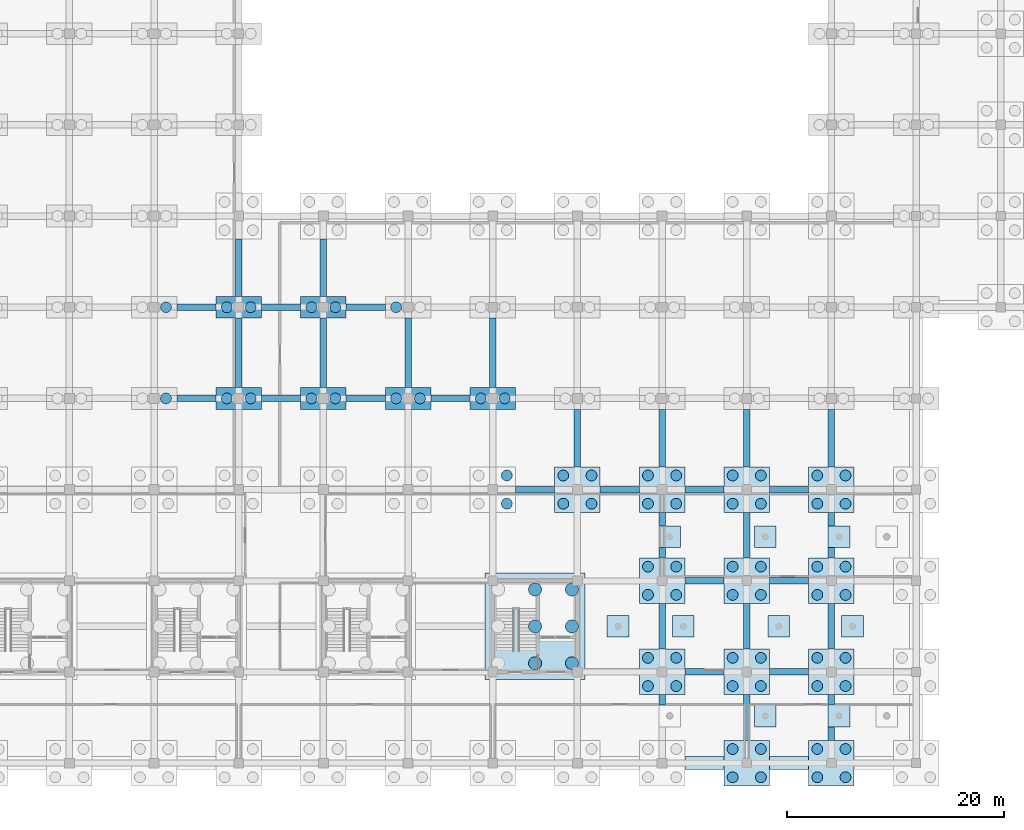
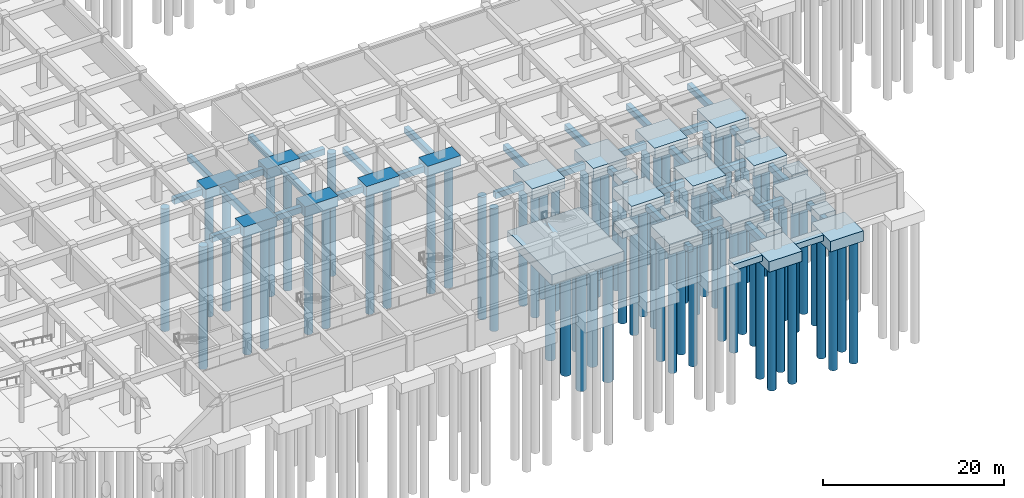
# One storey, part 4 of 31: 71 piles, 67 footings.
"""IFC4 building model written with IfcOpenShell, lengths in metres."""

from ifc_helpers import new_model, si_unit, direction, frame, origin, origin_2d, place, context, subcontext, project, spatial, rectangle, circle, extrude, material, material_profile, profile_set, type_object, element, save


model = new_model("IFC4")

# Units and contexts
model_context = context("Model", 3, precision=1e-05, world=origin(), true_north=direction((0.0, 1.0)))
body_context = subcontext(model_context, "Body", "Model", "MODEL_VIEW")
ifc_project = project(units=[si_unit("LENGTHUNIT", "METRE"), si_unit("AREAUNIT", "SQUARE_METRE"), si_unit("VOLUMEUNIT", "CUBIC_METRE"), si_unit("PLANEANGLEUNIT", "RADIAN"), si_unit("MASSUNIT", "GRAM", prefix="KILO")], contexts=[model_context])

# Site, building, storey
site_placement = place(None, origin())
site = spatial("IfcSite", under=ifc_project, at=site_placement, CompositionType="ELEMENT")
building_placement = place(site_placement, origin())
building = spatial("IfcBuilding", under=site, at=building_placement, Name="Zizhar Promenade General Hospital", CompositionType="ELEMENT")
storey_placement = place(building_placement, frame((0.0, 0.0, -4.800048828125)))
storey = spatial("IfcBuildingStorey", under=building, at=storey_placement, Name="B1", CompositionType="ELEMENT", Elevation=-4.800048828125)

# Footings
ifc_material_1 = material(Name="Concrete C30/37", Category="concrete")
footing_type_1 = type_object("IfcFootingType", Name="FTG-CAP2-4000", PredefinedType="PILE_CAP", material=ifc_material_1)
for number, where, z_axis, x_axis, name in (
    (1, (70.199951171875, 33.60009765625, -1.39990234375), (0.0, 0.0, 1.0), (1.0, 0.0, 0.0), "Pile Cap 10-E"),
    (2, (70.199951171875, 42.0, -1.39990234375), (0.0, 0.0, 1.0), (1.0, 0.0, 0.0), "Pile Cap 10-F"),
    (3, (78.0, 33.60009765625, -1.39990234375), (0.0, 0.0, 1.0), (1.0, 0.0, 0.0), "Pile Cap 11-E"),
    (4, (78.0, 42.0, -1.39990234375), (0.0, 0.0, 1.0), (1.0, 0.0, 0.0), "Pile Cap 11-F"),
    (5, (85.800048828125, 33.60009765625, -1.39990234375), (0.0, 0.0, 1.0), (1.0, 0.0, 0.0), "Pile Cap 12-E"),
    (6, (93.60009765625, 33.60009765625, -1.39990234375), (0.0, 0.0, 1.0), (1.0, 0.0, 0.0), "Pile Cap 13-E"),
):
    element("IfcFooting", number, at=place(storey_placement, frame(where, z_axis=z_axis, x_axis=x_axis)), inside=storey, type_object=footing_type_1, Name=name, PredefinedType="PILE_CAP", context=body_context, shape_type="SweptSolid", body=[
        extrude(rectangle(XDim=4.199951171875, YDim=2.0, at=origin_2d()), origin(), (0.0, 0.0, 1.0), 1.39990234375),
    ])
ifc_material_2 = material(Name="Concrete C30/37", Category="concrete")
footing_type_2 = type_object("IfcFootingType", Name="FTG-CAP4-4200", PredefinedType="PILE_CAP", material=ifc_material_2)
for number, where, z_axis, x_axis, name in (
    (7, (101.39990234375, 25.199951171875, -1.39990234375), (0.0, 0.0, 1.0), (1.0, 0.0, 0.0), "Pile Cap 14-D"),
    (8, (109.199951171875, 8.39990234375, -1.39990234375), (0.0, 0.0, 1.0), (1.0, 0.0, 0.0), "Pile Cap 15-B"),
    (9, (109.199951171875, 16.800048828125, -1.39990234375), (0.0, 0.0, 1.0), (1.0, 0.0, 0.0), "Pile Cap 15-C"),
    (10, (109.199951171875, 25.199951171875, -1.39990234375), (0.0, 0.0, 1.0), (1.0, 0.0, 0.0), "Pile Cap 15-D"),
    (11, (117.0, 0.0, -1.39990234375), (0.0, 0.0, 1.0), (1.0, 0.0, 0.0), "Pile Cap 16-A"),
    (12, (117.0, 8.39990234375, -1.39990234375), (0.0, 0.0, 1.0), (1.0, 0.0, 0.0), "Pile Cap 16-B"),
    (13, (117.0, 16.800048828125, -1.39990234375), (0.0, 0.0, 1.0), (1.0, 0.0, 0.0), "Pile Cap 16-C"),
    (14, (117.0, 25.199951171875, -1.39990234375), (0.0, 0.0, 1.0), (1.0, 0.0, 0.0), "Pile Cap 16-D"),
    (15, (124.800048828125, 0.0, -1.39990234375), (0.0, 0.0, 1.0), (1.0, 0.0, 0.0), "Pile Cap 17-A"),
    (16, (124.800048828125, 8.39990234375, -1.39990234375), (0.0, 0.0, 1.0), (1.0, 0.0, 0.0), "Pile Cap 17-B"),
    (17, (124.800048828125, 16.800048828125, -1.39990234375), (0.0, 0.0, 1.0), (1.0, 0.0, 0.0), "Pile Cap 17-C"),
    (18, (124.800048828125, 25.199951171875, -1.39990234375), (0.0, 0.0, 1.0), (1.0, 0.0, 0.0), "Pile Cap 17-D"),
):
    element("IfcFooting", number, at=place(storey_placement, frame(where, z_axis=z_axis, x_axis=x_axis)), inside=storey, type_object=footing_type_2, Name=name, PredefinedType="PILE_CAP", context=body_context, shape_type="SweptSolid", body=[
        extrude(rectangle(XDim=4.199951171875, YDim=4.199951171875, at=origin_2d()), origin(), (0.0, 0.0, 1.0), 1.39990234375),
    ])
ifc_material_3 = material(Name="Concrete C30/37", Category="concrete")
footing_type_3 = type_object("IfcFootingType", Name="FTG-CORECAP-9200", PredefinedType="PILE_CAP", material=ifc_material_3)
footing_1_placement = place(storey_placement, frame((97.5, 12.60009765625, -1.39990234375), z_axis=(0.0, 0.0, 1.0), x_axis=(1.0, 0.0, 0.0)))
element("IfcFooting", 19, at=footing_1_placement, inside=storey, type_object=footing_type_3, Name="Core C5 Pile Cap", PredefinedType="PILE_CAP", context=body_context, shape_type="SweptSolid", body=[
    extrude(rectangle(XDim=9.199951171875, YDim=9.800048828125, at=origin_2d()), origin(), (0.0, 0.0, 1.0), 1.39990234375),
])
ifc_material_4 = material(Name="Concrete C30/37", Category="concrete")
footing_type_4 = type_object("IfcFootingType", Name="FTG-PAD-2000", PredefinedType="PAD_FOOTING", material=ifc_material_4)
for number, where, z_axis, x_axis, name in (
    (20, (126.75, 12.60009765625, -1.39990234375), (0.0, 0.0, 1.0), (1.0, 0.0, 0.0), "Terrace Support Pad Footing L06-E2"),
    (21, (125.5, 4.35009765625, -1.39990234375), (0.0, 0.0, 1.0), (1.0, 0.0, 0.0), "Terrace Support Pad Footing L07-E0"),
    (22, (125.5, 20.85009765625, -1.39990234375), (0.0, 0.0, 1.0), (1.0, 0.0, 0.0), "Terrace Support Pad Footing L07-E1"),
    (23, (119.949951171875, 12.60009765625, -1.39990234375), (0.0, 0.0, 1.0), (1.0, 0.0, 0.0), "Terrace Support Pad Footing L07-E2"),
    (24, (118.699951171875, 4.35009765625, -1.39990234375), (0.0, 0.0, 1.0), (1.0, 0.0, 0.0), "Terrace Support Pad Footing L08-E0"),
    (25, (118.699951171875, 20.85009765625, -1.39990234375), (0.0, 0.0, 1.0), (1.0, 0.0, 0.0), "Terrace Support Pad Footing L08-E1"),
    (26, (111.14990234375, 12.60009765625, -1.39990234375), (0.0, 0.0, 1.0), (1.0, 0.0, 0.0), "Terrace Support Pad Footing L08-E2"),
    (27, (109.89990234375, 20.85009765625, -1.39990234375), (0.0, 0.0, 1.0), (1.0, 0.0, 0.0), "Terrace Support Pad Footing L09-E1"),
    (28, (105.14990234375, 12.60009765625, -1.39990234375), (0.0, 0.0, 1.0), (1.0, 0.0, 0.0), "Terrace Support Pad Footing L09-E2"),
):
    element("IfcFooting", number, at=place(storey_placement, frame(where, z_axis=z_axis, x_axis=x_axis)), inside=storey, type_object=footing_type_4, Name=name, PredefinedType="PAD_FOOTING", context=body_context, shape_type="SweptSolid", body=[
        extrude(rectangle(XDim=2.0, YDim=2.0, at=origin_2d()), origin(), (0.0, 0.0, 1.0), 1.0),
    ])
ifc_material_5 = material(Name="Concrete C30/37", Category="concrete")
ifc_material_profile_1 = material_profile(ifc_material_5, rectangle(XDim=1.199951171875, YDim=0.800048828125, at=origin_2d()))
ifc_profile_set_1 = profile_set([ifc_material_profile_1], Name="Concrete C30/37")
footing_type_5 = type_object("IfcFootingType", Name="FTG-STRIP-1200", PredefinedType="STRIP_FOOTING", material=ifc_profile_set_1)
for number, where, z_axis, x_axis, name in (
    (29, (111.300048828125, 0.0, -0.39990234375), (1.0, 0.0, 0.0), (0.0, 1.0, 0.0), "Basement Wall Strip Footing B01 (15)"),
    (30, (119.10009765625, 0.0, -0.39990234375), (1.0, 0.0, 0.0), (0.0, 1.0, 0.0), "Basement Wall Strip Footing B01 (16)"),
):
    element("IfcFooting", number, at=place(storey_placement, frame(where, z_axis=z_axis, x_axis=x_axis)), inside=storey, type_object=footing_type_5, Name=name, PredefinedType="STRIP_FOOTING", context=body_context, shape_type="SweptSolid", body=[
        extrude(rectangle(XDim=1.199951171875, YDim=0.800048828125, at=origin_2d()), origin(), (0.0, 0.0, 1.0), 3.599853515625),
    ])
ifc_material_6 = material(Name="Concrete C30/37", Category="concrete")
ifc_material_profile_2 = material_profile(ifc_material_6, rectangle(XDim=0.60009765625, YDim=0.800048828125, at=origin_2d()))
ifc_profile_set_2 = profile_set([ifc_material_profile_2], Name="Concrete C30/37")
footing_type_6 = type_object("IfcFootingType", Name="FTG-TIE-600x800", PredefinedType="FOOTING_BEAM", material=ifc_profile_set_2)
for number, where, z_axis, x_axis, name in (
    (31, (64.5, 33.60009765625, -0.800048828125), (1.0, 0.0, 0.0), (0.0, 1.0, 0.0), "Seismic Ground Tie Beam X-8-4"),
    (32, (64.5, 42.0, -0.800048828125), (1.0, 0.0, 0.0), (0.0, 1.0, 0.0), "Seismic Ground Tie Beam X-8-5"),
):
    element("IfcFooting", number, at=place(storey_placement, frame(where, z_axis=z_axis, x_axis=x_axis)), inside=storey, type_object=footing_type_6, Name=name, PredefinedType="FOOTING_BEAM", context=body_context, shape_type="SweptSolid", body=[
        extrude(rectangle(XDim=0.60009765625, YDim=0.800048828125, at=origin_2d()), origin(), (0.0, 0.0, 1.0), 3.60009765625),
    ])
footing_2_placement = place(storey_placement, frame((72.300048828125, 33.60009765625, -0.800048828125), z_axis=(1.0, 0.0, 0.0), x_axis=(0.0, 1.0, 0.0)))
element("IfcFooting", 33, at=footing_2_placement, inside=storey, type_object=footing_type_6, Name="Seismic Ground Tie Beam X-9-4", PredefinedType="FOOTING_BEAM", context=body_context, shape_type="SweptSolid", body=[
    extrude(rectangle(XDim=0.60009765625, YDim=0.800048828125, at=origin_2d()), origin(), (0.0, 0.0, 1.0), 3.599853515625),
])
footing_3_placement = place(storey_placement, frame((70.199951171875, 34.60009765625, -0.800048828125), z_axis=(0.0, 1.0, 0.0), x_axis=(-1.0, 0.0, 0.0)))
element("IfcFooting", 34, at=footing_3_placement, inside=storey, type_object=footing_type_6, Name="Seismic Ground Tie Beam Y-9-4", PredefinedType="FOOTING_BEAM", context=body_context, shape_type="SweptSolid", body=[
    extrude(rectangle(XDim=0.60009765625, YDim=0.800048828125, at=origin_2d()), origin(), (0.0, 0.0, 1.0), 6.39990234375),
])
footing_4_placement = place(storey_placement, frame((72.300048828125, 42.0, -0.800048828125), z_axis=(1.0, 0.0, 0.0), x_axis=(0.0, 1.0, 0.0)))
element("IfcFooting", 35, at=footing_4_placement, inside=storey, type_object=footing_type_6, Name="Seismic Ground Tie Beam X-9-5", PredefinedType="FOOTING_BEAM", context=body_context, shape_type="SweptSolid", body=[
    extrude(rectangle(XDim=0.60009765625, YDim=0.800048828125, at=origin_2d()), origin(), (0.0, 0.0, 1.0), 3.599853515625),
])
footing_5_placement = place(storey_placement, frame((70.199951171875, 43.0, -0.800048828125), z_axis=(0.0, 1.0, 0.0), x_axis=(-1.0, 0.0, 0.0)))
element("IfcFooting", 36, at=footing_5_placement, inside=storey, type_object=footing_type_6, Name="Seismic Ground Tie Beam Y-9-5", PredefinedType="FOOTING_BEAM", context=body_context, shape_type="SweptSolid", body=[
    extrude(rectangle(XDim=0.60009765625, YDim=0.800048828125, at=origin_2d()), origin(), (0.0, 0.0, 1.0), 5.300048828125),
])
footing_6_placement = place(storey_placement, frame((80.10009765625, 33.60009765625, -0.800048828125), z_axis=(1.0, 0.0, 0.0), x_axis=(0.0, 1.0, 0.0)))
element("IfcFooting", 37, at=footing_6_placement, inside=storey, type_object=footing_type_6, Name="Seismic Ground Tie Beam X-10-4", PredefinedType="FOOTING_BEAM", context=body_context, shape_type="SweptSolid", body=[
    extrude(rectangle(XDim=0.60009765625, YDim=0.800048828125, at=origin_2d()), origin(), (0.0, 0.0, 1.0), 3.599853515625),
])
footing_7_placement = place(storey_placement, frame((78.0, 34.60009765625, -0.800048828125), z_axis=(0.0, 1.0, 0.0), x_axis=(-1.0, 0.0, 0.0)))
element("IfcFooting", 38, at=footing_7_placement, inside=storey, type_object=footing_type_6, Name="Seismic Ground Tie Beam Y-10-4", PredefinedType="FOOTING_BEAM", context=body_context, shape_type="SweptSolid", body=[
    extrude(rectangle(XDim=0.60009765625, YDim=0.800048828125, at=origin_2d()), origin(), (0.0, 0.0, 1.0), 6.39990234375),
])
footing_8_placement = place(storey_placement, frame((80.10009765625, 42.0, -0.800048828125), z_axis=(1.0, 0.0, 0.0), x_axis=(0.0, 1.0, 0.0)))
element("IfcFooting", 39, at=footing_8_placement, inside=storey, type_object=footing_type_6, Name="Seismic Ground Tie Beam X-10-5", PredefinedType="FOOTING_BEAM", context=body_context, shape_type="SweptSolid", body=[
    extrude(rectangle(XDim=0.60009765625, YDim=0.800048828125, at=origin_2d()), origin(), (0.0, 0.0, 1.0), 3.599853515625),
])
footing_9_placement = place(storey_placement, frame((78.0, 43.0, -0.800048828125), z_axis=(0.0, 1.0, 0.0), x_axis=(-1.0, 0.0, 0.0)))
element("IfcFooting", 40, at=footing_9_placement, inside=storey, type_object=footing_type_6, Name="Seismic Ground Tie Beam Y-10-5", PredefinedType="FOOTING_BEAM", context=body_context, shape_type="SweptSolid", body=[
    extrude(rectangle(XDim=0.60009765625, YDim=0.800048828125, at=origin_2d()), origin(), (0.0, 0.0, 1.0), 5.300048828125),
])
footing_10_placement = place(storey_placement, frame((87.89990234375, 33.60009765625, -0.800048828125), z_axis=(1.0, 0.0, 0.0), x_axis=(0.0, 1.0, 0.0)))
element("IfcFooting", 41, at=footing_10_placement, inside=storey, type_object=footing_type_6, Name="Seismic Ground Tie Beam X-11-4", PredefinedType="FOOTING_BEAM", context=body_context, shape_type="SweptSolid", body=[
    extrude(rectangle(XDim=0.60009765625, YDim=0.800048828125, at=origin_2d()), origin(), (0.0, 0.0, 1.0), 3.60009765625),
])
footing_11_placement = place(storey_placement, frame((85.800048828125, 34.60009765625, -0.800048828125), z_axis=(0.0, 1.0, 0.0), x_axis=(-1.0, 0.0, 0.0)))
element("IfcFooting", 42, at=footing_11_placement, inside=storey, type_object=footing_type_6, Name="Seismic Ground Tie Beam Y-11-4", PredefinedType="FOOTING_BEAM", context=body_context, shape_type="SweptSolid", body=[
    extrude(rectangle(XDim=0.60009765625, YDim=0.800048828125, at=origin_2d()), origin(), (0.0, 0.0, 1.0), 6.39990234375),
])
footing_12_placement = place(storey_placement, frame((95.699951171875, 25.199951171875, -0.800048828125), z_axis=(1.0, 0.0, 0.0), x_axis=(0.0, 1.0, 0.0)))
element("IfcFooting", 43, at=footing_12_placement, inside=storey, type_object=footing_type_6, Name="Seismic Ground Tie Beam X-12-3", PredefinedType="FOOTING_BEAM", context=body_context, shape_type="SweptSolid", body=[
    extrude(rectangle(XDim=0.60009765625, YDim=0.800048828125, at=origin_2d()), origin(), (0.0, 0.0, 1.0), 3.60009765625),
])
footing_13_placement = place(storey_placement, frame((93.60009765625, 34.60009765625, -0.800048828125), z_axis=(0.0, 1.0, 0.0), x_axis=(-1.0, 0.0, 0.0)))
element("IfcFooting", 44, at=footing_13_placement, inside=storey, type_object=footing_type_6, Name="Seismic Ground Tie Beam Y-12-4", PredefinedType="FOOTING_BEAM", context=body_context, shape_type="SweptSolid", body=[
    extrude(rectangle(XDim=0.60009765625, YDim=0.800048828125, at=origin_2d()), origin(), (0.0, 0.0, 1.0), 6.39990234375),
])
footing_14_placement = place(storey_placement, frame((103.5, 25.199951171875, -0.800048828125), z_axis=(1.0, 0.0, 0.0), x_axis=(0.0, 1.0, 0.0)))
element("IfcFooting", 45, at=footing_14_placement, inside=storey, type_object=footing_type_6, Name="Seismic Ground Tie Beam X-13-3", PredefinedType="FOOTING_BEAM", context=body_context, shape_type="SweptSolid", body=[
    extrude(rectangle(XDim=0.60009765625, YDim=0.800048828125, at=origin_2d()), origin(), (0.0, 0.0, 1.0), 3.60009765625),
])
footing_15_placement = place(storey_placement, frame((101.39990234375, 27.300048828125, -0.800048828125), z_axis=(0.0, 1.0, 0.0), x_axis=(-1.0, 0.0, 0.0)))
element("IfcFooting", 46, at=footing_15_placement, inside=storey, type_object=footing_type_6, Name="Seismic Ground Tie Beam Y-13-3", PredefinedType="FOOTING_BEAM", context=body_context, shape_type="SweptSolid", body=[
    extrude(rectangle(XDim=0.60009765625, YDim=0.800048828125, at=origin_2d()), origin(), (0.0, 0.0, 1.0), 5.300048828125),
])
footing_16_placement = place(storey_placement, frame((109.199951171875, 5.35009765625, -0.800048828125), z_axis=(0.0, 1.0, 0.0), x_axis=(-1.0, 0.0, 0.0)))
element("IfcFooting", 47, at=footing_16_placement, inside=storey, type_object=footing_type_6, Name="Seismic Ground Tie Beam Y-14-0 (2)", PredefinedType="FOOTING_BEAM", context=body_context, shape_type="SweptSolid", body=[
    extrude(rectangle(XDim=0.60009765625, YDim=0.800048828125, at=origin_2d()), origin(), (0.0, 0.0, 1.0), 0.949951171875),
])
footing_17_placement = place(storey_placement, frame((111.300048828125, 8.39990234375, -0.800048828125), z_axis=(1.0, 0.0, 0.0), x_axis=(0.0, 1.0, 0.0)))
element("IfcFooting", 48, at=footing_17_placement, inside=storey, type_object=footing_type_6, Name="Seismic Ground Tie Beam X-14-1", PredefinedType="FOOTING_BEAM", context=body_context, shape_type="SweptSolid", body=[
    extrude(rectangle(XDim=0.60009765625, YDim=0.800048828125, at=origin_2d()), origin(), (0.0, 0.0, 1.0), 3.599853515625),
])
footing_18_placement = place(storey_placement, frame((109.199951171875, 10.5, -0.800048828125), z_axis=(0.0, 1.0, 0.0), x_axis=(-1.0, 0.0, 0.0)))
element("IfcFooting", 49, at=footing_18_placement, inside=storey, type_object=footing_type_6, Name="Seismic Ground Tie Beam Y-14-1", PredefinedType="FOOTING_BEAM", context=body_context, shape_type="SweptSolid", body=[
    extrude(rectangle(XDim=0.60009765625, YDim=0.800048828125, at=origin_2d()), origin(), (0.0, 0.0, 1.0), 4.199951171875),
])
footing_19_placement = place(storey_placement, frame((111.300048828125, 16.800048828125, -0.800048828125), z_axis=(1.0, 0.0, 0.0), x_axis=(0.0, 1.0, 0.0)))
element("IfcFooting", 50, at=footing_19_placement, inside=storey, type_object=footing_type_6, Name="Seismic Ground Tie Beam X-14-2", PredefinedType="FOOTING_BEAM", context=body_context, shape_type="SweptSolid", body=[
    extrude(rectangle(XDim=0.60009765625, YDim=0.800048828125, at=origin_2d()), origin(), (0.0, 0.0, 1.0), 3.599853515625),
])
footing_20_placement = place(storey_placement, frame((109.199951171875, 18.89990234375, -0.800048828125), z_axis=(0.0, 1.0, 0.0), x_axis=(-1.0, 0.0, 0.0)))
element("IfcFooting", 51, at=footing_20_placement, inside=storey, type_object=footing_type_6, Name="Seismic Ground Tie Beam Y-14-2", PredefinedType="FOOTING_BEAM", context=body_context, shape_type="SweptSolid", body=[
    extrude(rectangle(XDim=0.60009765625, YDim=0.800048828125, at=origin_2d()), origin(), (0.0, 0.0, 1.0), 0.9501953125),
])
footing_21_placement = place(storey_placement, frame((109.199951171875, 21.85009765625, -0.800048828125), z_axis=(0.0, 1.0, 0.0), x_axis=(-1.0, 0.0, 0.0)))
element("IfcFooting", 52, at=footing_21_placement, inside=storey, type_object=footing_type_6, Name="Seismic Ground Tie Beam Y-14-2 (2)", PredefinedType="FOOTING_BEAM", context=body_context, shape_type="SweptSolid", body=[
    extrude(rectangle(XDim=0.60009765625, YDim=0.800048828125, at=origin_2d()), origin(), (0.0, 0.0, 1.0), 1.25),
])
footing_22_placement = place(storey_placement, frame((111.300048828125, 25.199951171875, -0.800048828125), z_axis=(1.0, 0.0, 0.0), x_axis=(0.0, 1.0, 0.0)))
element("IfcFooting", 53, at=footing_22_placement, inside=storey, type_object=footing_type_6, Name="Seismic Ground Tie Beam X-14-3", PredefinedType="FOOTING_BEAM", context=body_context, shape_type="SweptSolid", body=[
    extrude(rectangle(XDim=0.60009765625, YDim=0.800048828125, at=origin_2d()), origin(), (0.0, 0.0, 1.0), 3.599853515625),
])
footing_23_placement = place(storey_placement, frame((109.199951171875, 27.300048828125, -0.800048828125), z_axis=(0.0, 1.0, 0.0), x_axis=(-1.0, 0.0, 0.0)))
element("IfcFooting", 54, at=footing_23_placement, inside=storey, type_object=footing_type_6, Name="Seismic Ground Tie Beam Y-14-3", PredefinedType="FOOTING_BEAM", context=body_context, shape_type="SweptSolid", body=[
    extrude(rectangle(XDim=0.60009765625, YDim=0.800048828125, at=origin_2d()), origin(), (0.0, 0.0, 1.0), 5.300048828125),
])
footing_24_placement = place(storey_placement, frame((117.0, 2.10009765625, -0.800048828125), z_axis=(0.0, 1.0, 0.0), x_axis=(-1.0, 0.0, 0.0)))
element("IfcFooting", 55, at=footing_24_placement, inside=storey, type_object=footing_type_6, Name="Seismic Ground Tie Beam Y-15-0", PredefinedType="FOOTING_BEAM", context=body_context, shape_type="SweptSolid", body=[
    extrude(rectangle(XDim=0.60009765625, YDim=0.800048828125, at=origin_2d()), origin(), (0.0, 0.0, 1.0), 4.199951171875),
])
footing_25_placement = place(storey_placement, frame((119.10009765625, 8.39990234375, -0.800048828125), z_axis=(1.0, 0.0, 0.0), x_axis=(0.0, 1.0, 0.0)))
element("IfcFooting", 56, at=footing_25_placement, inside=storey, type_object=footing_type_6, Name="Seismic Ground Tie Beam X-15-1", PredefinedType="FOOTING_BEAM", context=body_context, shape_type="SweptSolid", body=[
    extrude(rectangle(XDim=0.60009765625, YDim=0.800048828125, at=origin_2d()), origin(), (0.0, 0.0, 1.0), 3.599853515625),
])
footing_26_placement = place(storey_placement, frame((117.0, 10.5, -0.800048828125), z_axis=(0.0, 1.0, 0.0), x_axis=(-1.0, 0.0, 0.0)))
element("IfcFooting", 57, at=footing_26_placement, inside=storey, type_object=footing_type_6, Name="Seismic Ground Tie Beam Y-15-1", PredefinedType="FOOTING_BEAM", context=body_context, shape_type="SweptSolid", body=[
    extrude(rectangle(XDim=0.60009765625, YDim=0.800048828125, at=origin_2d()), origin(), (0.0, 0.0, 1.0), 4.199951171875),
])
footing_27_placement = place(storey_placement, frame((119.10009765625, 16.800048828125, -0.800048828125), z_axis=(1.0, 0.0, 0.0), x_axis=(0.0, 1.0, 0.0)))
element("IfcFooting", 58, at=footing_27_placement, inside=storey, type_object=footing_type_6, Name="Seismic Ground Tie Beam X-15-2", PredefinedType="FOOTING_BEAM", context=body_context, shape_type="SweptSolid", body=[
    extrude(rectangle(XDim=0.60009765625, YDim=0.800048828125, at=origin_2d()), origin(), (0.0, 0.0, 1.0), 3.599853515625),
])
footing_28_placement = place(storey_placement, frame((117.0, 18.89990234375, -0.800048828125), z_axis=(0.0, 1.0, 0.0), x_axis=(-1.0, 0.0, 0.0)))
element("IfcFooting", 59, at=footing_28_placement, inside=storey, type_object=footing_type_6, Name="Seismic Ground Tie Beam Y-15-2", PredefinedType="FOOTING_BEAM", context=body_context, shape_type="SweptSolid", body=[
    extrude(rectangle(XDim=0.60009765625, YDim=0.800048828125, at=origin_2d()), origin(), (0.0, 0.0, 1.0), 4.2001953125),
])
footing_29_placement = place(storey_placement, frame((119.10009765625, 25.199951171875, -0.800048828125), z_axis=(1.0, 0.0, 0.0), x_axis=(0.0, 1.0, 0.0)))
element("IfcFooting", 60, at=footing_29_placement, inside=storey, type_object=footing_type_6, Name="Seismic Ground Tie Beam X-15-3", PredefinedType="FOOTING_BEAM", context=body_context, shape_type="SweptSolid", body=[
    extrude(rectangle(XDim=0.60009765625, YDim=0.800048828125, at=origin_2d()), origin(), (0.0, 0.0, 1.0), 3.599853515625),
])
footing_30_placement = place(storey_placement, frame((117.0, 27.300048828125, -0.800048828125), z_axis=(0.0, 1.0, 0.0), x_axis=(-1.0, 0.0, 0.0)))
element("IfcFooting", 61, at=footing_30_placement, inside=storey, type_object=footing_type_6, Name="Seismic Ground Tie Beam Y-15-3", PredefinedType="FOOTING_BEAM", context=body_context, shape_type="SweptSolid", body=[
    extrude(rectangle(XDim=0.60009765625, YDim=0.800048828125, at=origin_2d()), origin(), (0.0, 0.0, 1.0), 5.300048828125),
])
footing_31_placement = place(storey_placement, frame((124.800048828125, 2.10009765625, -0.800048828125), z_axis=(0.0, 1.0, 0.0), x_axis=(-1.0, 0.0, 0.0)))
element("IfcFooting", 62, at=footing_31_placement, inside=storey, type_object=footing_type_6, Name="Seismic Ground Tie Beam Y-16-0", PredefinedType="FOOTING_BEAM", context=body_context, shape_type="SweptSolid", body=[
    extrude(rectangle(XDim=0.60009765625, YDim=0.800048828125, at=origin_2d()), origin(), (0.0, 0.0, 1.0), 1.25),
])
footing_32_placement = place(storey_placement, frame((124.800048828125, 5.35009765625, -0.800048828125), z_axis=(0.0, 1.0, 0.0), x_axis=(-1.0, 0.0, 0.0)))
element("IfcFooting", 63, at=footing_32_placement, inside=storey, type_object=footing_type_6, Name="Seismic Ground Tie Beam Y-16-0 (2)", PredefinedType="FOOTING_BEAM", context=body_context, shape_type="SweptSolid", body=[
    extrude(rectangle(XDim=0.60009765625, YDim=0.800048828125, at=origin_2d()), origin(), (0.0, 0.0, 1.0), 0.949951171875),
])
footing_33_placement = place(storey_placement, frame((124.800048828125, 10.5, -0.800048828125), z_axis=(0.0, 1.0, 0.0), x_axis=(-1.0, 0.0, 0.0)))
element("IfcFooting", 64, at=footing_33_placement, inside=storey, type_object=footing_type_6, Name="Seismic Ground Tie Beam Y-16-1", PredefinedType="FOOTING_BEAM", context=body_context, shape_type="SweptSolid", body=[
    extrude(rectangle(XDim=0.60009765625, YDim=0.800048828125, at=origin_2d()), origin(), (0.0, 0.0, 1.0), 4.199951171875),
])
footing_34_placement = place(storey_placement, frame((124.800048828125, 18.89990234375, -0.800048828125), z_axis=(0.0, 1.0, 0.0), x_axis=(-1.0, 0.0, 0.0)))
element("IfcFooting", 65, at=footing_34_placement, inside=storey, type_object=footing_type_6, Name="Seismic Ground Tie Beam Y-16-2", PredefinedType="FOOTING_BEAM", context=body_context, shape_type="SweptSolid", body=[
    extrude(rectangle(XDim=0.60009765625, YDim=0.800048828125, at=origin_2d()), origin(), (0.0, 0.0, 1.0), 0.9501953125),
])
footing_35_placement = place(storey_placement, frame((124.800048828125, 21.85009765625, -0.800048828125), z_axis=(0.0, 1.0, 0.0), x_axis=(-1.0, 0.0, 0.0)))
element("IfcFooting", 66, at=footing_35_placement, inside=storey, type_object=footing_type_6, Name="Seismic Ground Tie Beam Y-16-2 (2)", PredefinedType="FOOTING_BEAM", context=body_context, shape_type="SweptSolid", body=[
    extrude(rectangle(XDim=0.60009765625, YDim=0.800048828125, at=origin_2d()), origin(), (0.0, 0.0, 1.0), 1.25),
])
footing_36_placement = place(storey_placement, frame((124.800048828125, 27.300048828125, -0.800048828125), z_axis=(0.0, 1.0, 0.0), x_axis=(-1.0, 0.0, 0.0)))
element("IfcFooting", 67, at=footing_36_placement, inside=storey, type_object=footing_type_6, Name="Seismic Ground Tie Beam Y-16-3", PredefinedType="FOOTING_BEAM", context=body_context, shape_type="SweptSolid", body=[
    extrude(rectangle(XDim=0.60009765625, YDim=0.800048828125, at=origin_2d()), origin(), (0.0, 0.0, 1.0), 5.300048828125),
])

# Piles
ifc_material_7 = material(Name="Concrete C30/37", Category="concrete")
ifc_material_profile_3 = material_profile(ifc_material_7, circle(Radius=0.5, at=origin_2d()))
ifc_profile_set_3 = profile_set([ifc_material_profile_3], Name="Concrete C30/37")
pile_type_1 = type_object("IfcPileType", Name="PIL-BORED-1000", PredefinedType="BORED", material=ifc_profile_set_3)
for number, where, z_axis, x_axis, name in (
    (68, (63.5, 33.60009765625, -1.300048828125), (0.0, 0.0, -1.0), (1.0, 0.0, 0.0), "Bored Pile 9-E-2"),
    (69, (63.5, 42.0, -1.300048828125), (0.0, 0.0, -1.0), (1.0, 0.0, 0.0), "Bored Pile 9-F-2"),
    (70, (69.10009765625, 33.60009765625, -1.300048828125), (0.0, 0.0, -1.0), (1.0, 0.0, 0.0), "Bored Pile 10-E-1"),
    (71, (71.300048828125, 33.60009765625, -1.300048828125), (0.0, 0.0, -1.0), (1.0, 0.0, 0.0), "Bored Pile 10-E-2"),
    (72, (69.10009765625, 42.0, -1.300048828125), (0.0, 0.0, -1.0), (1.0, 0.0, 0.0), "Bored Pile 10-F-1"),
    (73, (71.300048828125, 42.0, -1.300048828125), (0.0, 0.0, -1.0), (1.0, 0.0, 0.0), "Bored Pile 10-F-2"),
    (74, (76.89990234375, 33.60009765625, -1.300048828125), (0.0, 0.0, -1.0), (1.0, 0.0, 0.0), "Bored Pile 11-E-1"),
    (75, (79.10009765625, 33.60009765625, -1.300048828125), (0.0, 0.0, -1.0), (1.0, 0.0, 0.0), "Bored Pile 11-E-2"),
    (76, (76.89990234375, 42.0, -1.300048828125), (0.0, 0.0, -1.0), (1.0, 0.0, 0.0), "Bored Pile 11-F-1"),
    (77, (79.10009765625, 42.0, -1.300048828125), (0.0, 0.0, -1.0), (1.0, 0.0, 0.0), "Bored Pile 11-F-2"),
    (78, (84.699951171875, 33.60009765625, -1.300048828125), (0.0, 0.0, -1.0), (1.0, 0.0, 0.0), "Bored Pile 12-E-1"),
    (79, (86.89990234375, 33.60009765625, -1.300048828125), (0.0, 0.0, -1.0), (1.0, 0.0, 0.0), "Bored Pile 12-E-2"),
    (80, (84.699951171875, 42.0, -1.300048828125), (0.0, 0.0, -1.0), (1.0, 0.0, 0.0), "Bored Pile 12-F-1"),
    (81, (94.89990234375, 23.89990234375, -1.300048828125), (0.0, 0.0, -1.0), (1.0, 0.0, 0.0), "Bored Pile 13-D-3"),
    (82, (94.89990234375, 26.5, -1.300048828125), (0.0, 0.0, -1.0), (1.0, 0.0, 0.0), "Bored Pile 13-D-4"),
    (83, (92.5, 33.60009765625, -1.300048828125), (0.0, 0.0, -1.0), (1.0, 0.0, 0.0), "Bored Pile 13-E-1"),
    (84, (94.699951171875, 33.60009765625, -1.300048828125), (0.0, 0.0, -1.0), (1.0, 0.0, 0.0), "Bored Pile 13-E-2"),
    (85, (100.10009765625, 23.89990234375, -1.300048828125), (0.0, 0.0, -1.0), (1.0, 0.0, 0.0), "Bored Pile 14-D-1"),
    (86, (100.10009765625, 26.5, -1.300048828125), (0.0, 0.0, -1.0), (1.0, 0.0, 0.0), "Bored Pile 14-D-2"),
    (87, (102.699951171875, 23.89990234375, -1.300048828125), (0.0, 0.0, -1.0), (1.0, 0.0, 0.0), "Bored Pile 14-D-3"),
    (88, (102.699951171875, 26.5, -1.300048828125), (0.0, 0.0, -1.0), (1.0, 0.0, 0.0), "Bored Pile 14-D-4"),
    (89, (107.89990234375, 7.10009765625, -1.300048828125), (0.0, 0.0, -1.0), (1.0, 0.0, 0.0), "Bored Pile 15-B-1"),
    (90, (107.89990234375, 9.699951171875, -1.300048828125), (0.0, 0.0, -1.0), (1.0, 0.0, 0.0), "Bored Pile 15-B-2"),
    (91, (110.5, 7.10009765625, -1.300048828125), (0.0, 0.0, -1.0), (1.0, 0.0, 0.0), "Bored Pile 15-B-3"),
    (92, (110.5, 9.699951171875, -1.300048828125), (0.0, 0.0, -1.0), (1.0, 0.0, 0.0), "Bored Pile 15-B-4"),
    (93, (107.89990234375, 15.5, -1.300048828125), (0.0, 0.0, -1.0), (1.0, 0.0, 0.0), "Bored Pile 15-C-1"),
    (94, (107.89990234375, 18.10009765625, -1.300048828125), (0.0, 0.0, -1.0), (1.0, 0.0, 0.0), "Bored Pile 15-C-2"),
    (95, (110.5, 15.5, -1.300048828125), (0.0, 0.0, -1.0), (1.0, 0.0, 0.0), "Bored Pile 15-C-3"),
    (96, (110.5, 18.10009765625, -1.300048828125), (0.0, 0.0, -1.0), (1.0, 0.0, 0.0), "Bored Pile 15-C-4"),
    (97, (107.89990234375, 23.89990234375, -1.300048828125), (0.0, 0.0, -1.0), (1.0, 0.0, 0.0), "Bored Pile 15-D-1"),
    (98, (107.89990234375, 26.5, -1.300048828125), (0.0, 0.0, -1.0), (1.0, 0.0, 0.0), "Bored Pile 15-D-2"),
    (99, (110.5, 23.89990234375, -1.300048828125), (0.0, 0.0, -1.0), (1.0, 0.0, 0.0), "Bored Pile 15-D-3"),
    (100, (110.5, 26.5, -1.300048828125), (0.0, 0.0, -1.0), (1.0, 0.0, 0.0), "Bored Pile 15-D-4"),
    (101, (115.699951171875, -1.300048828125, -1.300048828125), (0.0, 0.0, -1.0), (1.0, 0.0, 0.0), "Bored Pile 16-A-1"),
    (102, (115.699951171875, 1.300048828125, -1.300048828125), (0.0, 0.0, -1.0), (1.0, 0.0, 0.0), "Bored Pile 16-A-2"),
    (103, (118.300048828125, -1.300048828125, -1.300048828125), (0.0, 0.0, -1.0), (1.0, 0.0, 0.0), "Bored Pile 16-A-3"),
    (104, (118.300048828125, 1.300048828125, -1.300048828125), (0.0, 0.0, -1.0), (1.0, 0.0, 0.0), "Bored Pile 16-A-4"),
    (105, (115.699951171875, 7.10009765625, -1.300048828125), (0.0, 0.0, -1.0), (1.0, 0.0, 0.0), "Bored Pile 16-B-1"),
    (106, (115.699951171875, 9.699951171875, -1.300048828125), (0.0, 0.0, -1.0), (1.0, 0.0, 0.0), "Bored Pile 16-B-2"),
    (107, (118.300048828125, 7.10009765625, -1.300048828125), (0.0, 0.0, -1.0), (1.0, 0.0, 0.0), "Bored Pile 16-B-3"),
    (108, (118.300048828125, 9.699951171875, -1.300048828125), (0.0, 0.0, -1.0), (1.0, 0.0, 0.0), "Bored Pile 16-B-4"),
    (109, (115.699951171875, 15.5, -1.300048828125), (0.0, 0.0, -1.0), (1.0, 0.0, 0.0), "Bored Pile 16-C-1"),
    (110, (115.699951171875, 18.10009765625, -1.300048828125), (0.0, 0.0, -1.0), (1.0, 0.0, 0.0), "Bored Pile 16-C-2"),
    (111, (118.300048828125, 15.5, -1.300048828125), (0.0, 0.0, -1.0), (1.0, 0.0, 0.0), "Bored Pile 16-C-3"),
    (112, (118.300048828125, 18.10009765625, -1.300048828125), (0.0, 0.0, -1.0), (1.0, 0.0, 0.0), "Bored Pile 16-C-4"),
    (113, (115.699951171875, 23.89990234375, -1.300048828125), (0.0, 0.0, -1.0), (1.0, 0.0, 0.0), "Bored Pile 16-D-1"),
    (114, (115.699951171875, 26.5, -1.300048828125), (0.0, 0.0, -1.0), (1.0, 0.0, 0.0), "Bored Pile 16-D-2"),
    (115, (118.300048828125, 23.89990234375, -1.300048828125), (0.0, 0.0, -1.0), (1.0, 0.0, 0.0), "Bored Pile 16-D-3"),
    (116, (118.300048828125, 26.5, -1.300048828125), (0.0, 0.0, -1.0), (1.0, 0.0, 0.0), "Bored Pile 16-D-4"),
    (117, (123.5, -1.300048828125, -1.300048828125), (0.0, 0.0, -1.0), (1.0, 0.0, 0.0), "Bored Pile 17-A-1"),
    (118, (123.5, 1.300048828125, -1.300048828125), (0.0, 0.0, -1.0), (1.0, 0.0, 0.0), "Bored Pile 17-A-2"),
    (119, (126.10009765625, -1.300048828125, -1.300048828125), (0.0, 0.0, -1.0), (1.0, 0.0, 0.0), "Bored Pile 17-A-3"),
    (120, (126.10009765625, 1.300048828125, -1.300048828125), (0.0, 0.0, -1.0), (1.0, 0.0, 0.0), "Bored Pile 17-A-4"),
    (121, (123.5, 7.10009765625, -1.300048828125), (0.0, 0.0, -1.0), (1.0, 0.0, 0.0), "Bored Pile 17-B-1"),
    (122, (123.5, 9.699951171875, -1.300048828125), (0.0, 0.0, -1.0), (1.0, 0.0, 0.0), "Bored Pile 17-B-2"),
    (123, (126.10009765625, 7.10009765625, -1.300048828125), (0.0, 0.0, -1.0), (1.0, 0.0, 0.0), "Bored Pile 17-B-3"),
    (124, (126.10009765625, 9.699951171875, -1.300048828125), (0.0, 0.0, -1.0), (1.0, 0.0, 0.0), "Bored Pile 17-B-4"),
    (125, (123.5, 15.5, -1.300048828125), (0.0, 0.0, -1.0), (1.0, 0.0, 0.0), "Bored Pile 17-C-1"),
    (126, (123.5, 18.10009765625, -1.300048828125), (0.0, 0.0, -1.0), (1.0, 0.0, 0.0), "Bored Pile 17-C-2"),
    (127, (126.10009765625, 15.5, -1.300048828125), (0.0, 0.0, -1.0), (1.0, 0.0, 0.0), "Bored Pile 17-C-3"),
    (128, (126.10009765625, 18.10009765625, -1.300048828125), (0.0, 0.0, -1.0), (1.0, 0.0, 0.0), "Bored Pile 17-C-4"),
    (129, (123.5, 23.89990234375, -1.300048828125), (0.0, 0.0, -1.0), (1.0, 0.0, 0.0), "Bored Pile 17-D-1"),
    (130, (123.5, 26.5, -1.300048828125), (0.0, 0.0, -1.0), (1.0, 0.0, 0.0), "Bored Pile 17-D-2"),
    (131, (126.10009765625, 23.89990234375, -1.300048828125), (0.0, 0.0, -1.0), (1.0, 0.0, 0.0), "Bored Pile 17-D-3"),
    (132, (126.10009765625, 26.5, -1.300048828125), (0.0, 0.0, -1.0), (1.0, 0.0, 0.0), "Bored Pile 17-D-4"),
):
    element("IfcPile", number, at=place(storey_placement, frame(where, z_axis=z_axis, x_axis=x_axis)), inside=storey, type_object=pile_type_1, Name=name, PredefinedType="BORED", context=body_context, shape_type="SweptSolid", body=[
        extrude(circle(Radius=0.5, at=origin_2d()), origin(), (0.0, 0.0, 1.0), 16.5),
    ])
ifc_material_8 = material(Name="Concrete C30/37", Category="concrete")
ifc_material_profile_4 = material_profile(ifc_material_8, circle(Radius=0.60009765625, at=origin_2d()))
ifc_profile_set_4 = profile_set([ifc_material_profile_4], Name="Concrete C30/37")
pile_type_2 = type_object("IfcPileType", Name="PIL-BORED-1200", PredefinedType="BORED", material=ifc_profile_set_4)
for number, where, z_axis, x_axis, name in (
    (133, (97.5, 9.199951171875, -1.300048828125), (0.0, 0.0, -1.0), (1.0, 0.0, 0.0), "Core C5 Bored Pile 04"),
    (134, (97.5, 12.60009765625, -1.300048828125), (0.0, 0.0, -1.0), (1.0, 0.0, 0.0), "Core C5 Bored Pile 05"),
    (135, (97.5, 16.0, -1.300048828125), (0.0, 0.0, -1.0), (1.0, 0.0, 0.0), "Core C5 Bored Pile 06"),
    (136, (100.89990234375, 9.199951171875, -1.300048828125), (0.0, 0.0, -1.0), (1.0, 0.0, 0.0), "Core C5 Bored Pile 07"),
    (137, (100.89990234375, 12.60009765625, -1.300048828125), (0.0, 0.0, -1.0), (1.0, 0.0, 0.0), "Core C5 Bored Pile 08"),
    (138, (100.89990234375, 16.0, -1.300048828125), (0.0, 0.0, -1.0), (1.0, 0.0, 0.0), "Core C5 Bored Pile 09"),
):
    element("IfcPile", number, at=place(storey_placement, frame(where, z_axis=z_axis, x_axis=x_axis)), inside=storey, type_object=pile_type_2, Name=name, PredefinedType="BORED", context=body_context, shape_type="SweptSolid", body=[
        extrude(circle(Radius=0.60009765625, at=origin_2d()), origin(), (0.0, 0.0, 1.0), 16.5),
    ])

save(model, "model.ifc")
